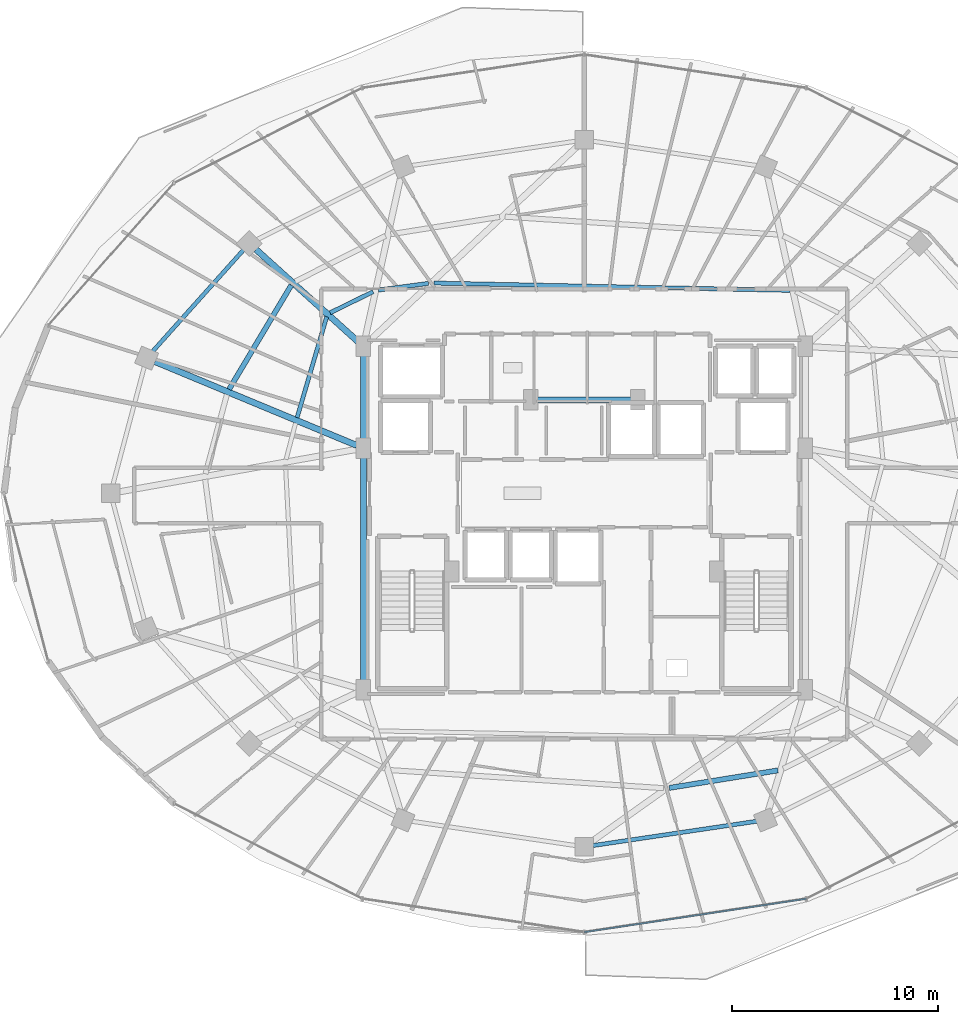
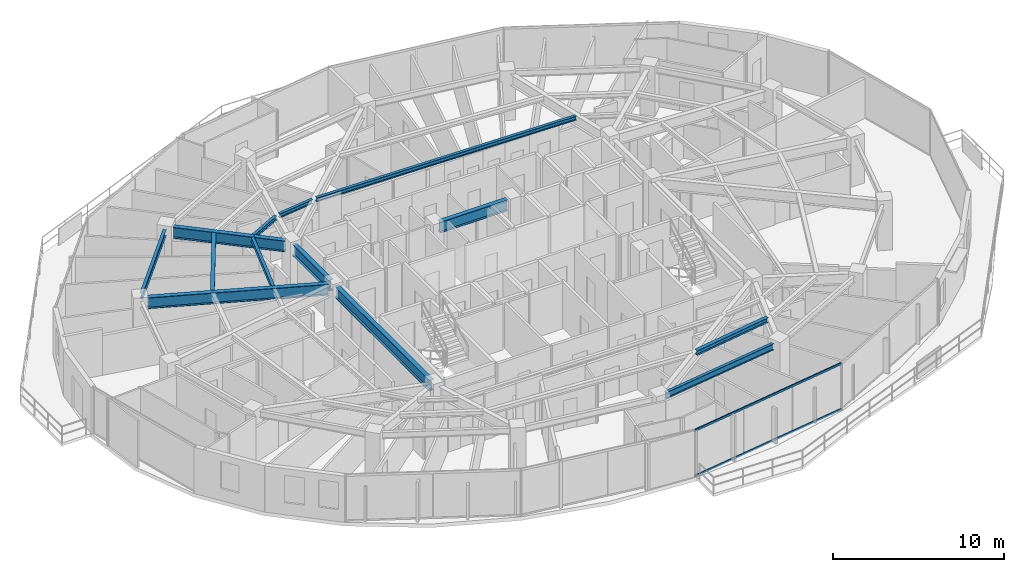
# One storey, part 10 of 34: 13 beams, 2 members, 1 element without a shape of its own.
"""IFC4 building model written with IfcOpenShell, lengths in metres."""

import ifcopenshell
import ifcopenshell.guid

model = None  # the IFC model being written
_history = None  # IfcOwnerHistory: only IFC2X3 demands one
_inside = {}  # id of a spatial element -> (the spatial element, [elements in it])
_under = {}  # id of a project, library or spatial element -> (it, [spatial elements below it])
_declared = {}  # id of a project -> (the project, [libraries it declares])
_typed = {}  # id of a type object -> (the type object, [elements of that type])
_made_of = {}  # id of a material, layer set ... -> (it, [elements and type objects made of it])


def new_model(schema):
    """Start an empty IFC model of exactly this schema.

    Asked for "IFC4X3", IfcOpenShell would pick the latest addendum, in which some entities
    have other attributes; the version numbers below select the first issue.
    IFC2X3 requires an IfcOwnerHistory on every rooted entity: one is made here for all.
    """
    global model, _history
    if schema == "IFC4X3":
        model = ifcopenshell.file(schema_version=(4, 3, 0, 0))
    else:
        model = ifcopenshell.file(schema=schema)
    _inside.clear()
    _under.clear()
    _declared.clear()
    _typed.clear()
    _made_of.clear()
    _history = None
    if model.schema == "IFC2X3":
        org = make("IfcOrganization", Name="unknown")
        user = make(
            "IfcPersonAndOrganization",
            ThePerson=make("IfcPerson", FamilyName="unknown"),
            TheOrganization=org,
        )
        app = make(
            "IfcApplication",
            ApplicationDeveloper=org,
            Version="unknown",
            ApplicationFullName="unknown",
            ApplicationIdentifier="unknown",
        )
        _history = make(
            "IfcOwnerHistory",
            OwningUser=user,
            OwningApplication=app,
            ChangeAction="ADDED",
            CreationDate=0,
        )
    return model


def make(cls, **values):
    """One entity of the class cls with the attributes given. An attribute that is None is left unset."""
    return model.create_entity(
        cls, **{name: value for name, value in values.items() if value is not None}
    )


def rooted(cls, **values):
    """An entity with a GlobalId (a new one), such as an element, a storey or a relation."""
    return make(cls, GlobalId=ifcopenshell.guid.new(), OwnerHistory=_history, **values)


def si_unit(unit_type, name, prefix=None):
    """IfcSIUnit, for example si_unit("LENGTHUNIT", "METRE", prefix="MILLI")."""
    return make("IfcSIUnit", UnitType=unit_type, Prefix=prefix, Name=name)


def assignment(units):
    """IfcUnitAssignment: the units of a project."""
    return None if units is None else make("IfcUnitAssignment", Units=units)


def point(xyz):
    """IfcCartesianPoint."""
    return None if xyz is None else make("IfcCartesianPoint", Coordinates=xyz)


def direction(xyz):
    """IfcDirection."""
    return None if xyz is None else make("IfcDirection", DirectionRatios=xyz)


def frame(location, z_axis=None, x_axis=None):
    """IfcAxis2Placement3D, a coordinate frame: its origin and axes. An axis left out is left unset."""
    return make(
        "IfcAxis2Placement3D",
        Location=point(location),
        Axis=direction(z_axis),
        RefDirection=direction(x_axis),
    )


def frame_2d(location, x_axis=None):
    """IfcAxis2Placement2D, a coordinate frame in the plane: its origin and x axis."""
    return make(
        "IfcAxis2Placement2D", Location=point(location), RefDirection=direction(x_axis)
    )


def origin():
    """The frame at (0, 0, 0) with its axes left unset."""
    return frame((0.0, 0.0, 0.0))


def origin_2d():
    """The frame at (0, 0) in the plane with its x axis left unset."""
    return frame_2d((0.0, 0.0))


def place(relative_to, where):
    """IfcLocalPlacement: puts the frame where relative to a parent placement (None: the world)."""
    return make(
        "IfcLocalPlacement", PlacementRelTo=relative_to, RelativePlacement=where
    )


def context(
    kind, dimensions, precision=None, world=None, true_north=None, identifier=None
):
    """IfcGeometricRepresentationContext, for example the 3D "Model" context."""
    return make(
        "IfcGeometricRepresentationContext",
        ContextIdentifier=identifier,
        ContextType=kind,
        CoordinateSpaceDimension=dimensions,
        Precision=precision,
        WorldCoordinateSystem=world,
        TrueNorth=true_north,
    )


def subcontext(parent, identifier, kind, view, scale=None):
    """IfcGeometricRepresentationSubContext, for example "Body" below "Model"."""
    return make(
        "IfcGeometricRepresentationSubContext",
        ContextIdentifier=identifier,
        ContextType=kind,
        ParentContext=parent,
        TargetScale=scale,
        TargetView=view,
    )


def project(units=None, contexts=None):
    """IfcProject with its units and contexts."""
    return rooted(
        "IfcProject",
        Name="project",
        RepresentationContexts=contexts,
        UnitsInContext=assignment(units),
    )


def spatial(cls, under=None, at=None, **own):
    """A site, building, storey or space (cls), placed at a placement, below another one or the project."""
    s = rooted(cls, ObjectPlacement=at, **own)
    if under is not None:
        _under.setdefault(under.id(), (under, []))[1].append(s)
    return s


def profile(cls, at=None, kind="AREA", **sizes):
    """A parametric profile (cls). Its sizes go by their IFC names, for example OverallWidth=200.0."""
    return make(cls, ProfileType=kind, Position=at, **sizes)


def hollow_rectangle(**sizes):
    """IfcRectangleHollowProfileDef."""
    return profile("IfcRectangleHollowProfileDef", **sizes)


def i_section(**sizes):
    """IfcIShapeProfileDef."""
    return profile("IfcIShapeProfileDef", **sizes)


def extrude(swept, where, along, depth):
    """IfcExtrudedAreaSolid: the profile swept, set in the frame where, extruded along a direction by depth."""
    return make(
        "IfcExtrudedAreaSolid",
        SweptArea=swept,
        Position=where,
        ExtrudedDirection=direction(along),
        Depth=depth,
    )


def shape(context_of_items, identifier, shape_type, items):
    """IfcShapeRepresentation: the items that make up one representation, for example the "Body"."""
    return make(
        "IfcShapeRepresentation",
        ContextOfItems=context_of_items,
        RepresentationIdentifier=identifier,
        RepresentationType=shape_type,
        Items=items,
    )


def material(Name=None, Category=None):
    """IfcMaterial."""
    return make("IfcMaterial", Name=Name, Category=Category)


def material_profile(
    of_material, cross_section, Name=None, Category=None, Priority=None
):
    """IfcMaterialProfile: a cross section and its material."""
    return make(
        "IfcMaterialProfile",
        Name=Name,
        Material=of_material,
        Profile=cross_section,
        Priority=Priority,
        Category=Category,
    )


def profile_set(profiles, Name=None, composite=None):
    """IfcMaterialProfileSet."""
    return make(
        "IfcMaterialProfileSet",
        Name=Name,
        MaterialProfiles=profiles,
        CompositeProfile=composite,
    )


def made_of(thing, what):
    """Note that an element or type object is made of a material, layer set ...; save() writes the relation."""
    if what is not None:
        _made_of.setdefault(what.id(), (what, []))[1].append(thing)
    return thing


def type_object(cls, material=None, **own):
    """A type object (cls), such as IfcWallType, which elements share."""
    return made_of(rooted(cls, **own), material)


def element(
    cls,
    number,
    at=None,
    inside=None,
    cuts=None,
    type_object=None,
    material=None,
    context=None,
    identifier="Body",
    shape_type=None,
    held_by="IfcProductDefinitionShape",
    body=None,
    shapes=None,
    **own,
):
    """One element of the class cls, such as IfcWall. Its Tag is "e" and its number.

    at: its placement. inside: the storey or other place that contains it. cuts: it is an
    opening in that element (IfcRelVoidsElement). A single representation is given by context,
    identifier, shape_type and body (its items); several are given by shapes. held_by: the class
    of the entity that holds the representations. save() writes the other relations.
    """
    e = rooted(cls, Tag="e%d" % number, ObjectPlacement=at, **own)
    if body is not None:
        shapes = [shape(context, identifier, shape_type, body)]
    if shapes is not None:
        e.Representation = make(held_by, Representations=shapes)
    if inside is not None:
        _inside.setdefault(inside.id(), (inside, []))[1].append(e)
    if cuts is not None:
        rooted(
            "IfcRelVoidsElement", RelatingBuildingElement=cuts, RelatedOpeningElement=e
        )
    if type_object is not None:
        _typed.setdefault(type_object.id(), (type_object, []))[1].append(e)
    return made_of(e, material)


def aggregate(whole, parts):
    """IfcRelAggregates: a whole, such as a stair, and the parts it consists of."""
    return rooted("IfcRelAggregates", RelatingObject=whole, RelatedObjects=parts)


def save(model, path):
    """Write the relations noted so far, then the file.

    IfcRelAggregates (storeys below a building ...), IfcRelContainedInSpatialStructure (elements
    in a storey), IfcRelDefinesByType, IfcRelAssociatesMaterial and IfcRelDeclares: one each for
    every whole, place, type object, material and project.
    """
    for whole, parts in _under.values():
        aggregate(whole, parts)
    for where, things in _inside.values():
        rooted(
            "IfcRelContainedInSpatialStructure",
            RelatedElements=things,
            RelatingStructure=where,
        )
    for kind, things in _typed.values():
        rooted("IfcRelDefinesByType", RelatedObjects=things, RelatingType=kind)
    for what, things in _made_of.values():
        rooted("IfcRelAssociatesMaterial", RelatedObjects=things, RelatingMaterial=what)
    for by, libraries in _declared.values():
        rooted("IfcRelDeclares", RelatingContext=by, RelatedDefinitions=libraries)
    model.write(path)


model = new_model("IFC4")

# Units and contexts
model_context = context("Model", 3, precision=1e-05, world=origin(), true_north=direction((0.0, 1.0)))
body_context = subcontext(model_context, "Body", "Model", "MODEL_VIEW")
ifc_project = project(units=[si_unit("LENGTHUNIT", "METRE"), si_unit("AREAUNIT", "SQUARE_METRE"), si_unit("VOLUMEUNIT", "CUBIC_METRE"), si_unit("PLANEANGLEUNIT", "RADIAN"), si_unit("MASSUNIT", "GRAM", prefix="KILO")], contexts=[model_context])

# Site, building, storey
site_placement = place(None, origin())
site = spatial("IfcSite", under=ifc_project, at=site_placement, CompositionType="ELEMENT")
building_placement = place(site_placement, origin())
building = spatial("IfcBuilding", under=site, at=building_placement, Name="Vorneva Point Tower", CompositionType="ELEMENT")
storey_placement = place(building_placement, frame((0.0, 0.0, 214.300048828125)))
storey = spatial("IfcBuildingStorey", under=building, at=storey_placement, Name="L58", CompositionType="ELEMENT", Elevation=214.300048828125)

# Beams
ifc_material_1 = material(Name="Steel S355", Category="steel")
ifc_material_profile_1 = material_profile(ifc_material_1, i_section(OverallWidth=0.300048828125, OverallDepth=0.7880859375, WebThickness=0.014404296875, FlangeThickness=0.02197265625, at=origin_2d()), Name="80Sh1")
ifc_profile_set_1 = profile_set([ifc_material_profile_1], Name="Steel S355")
beam_type_1 = type_object("IfcBeamType", Name="BM-GRD-80Sh1", PredefinedType="USERDEFINED", material=ifc_profile_set_1)
beam_1_placement = place(storey_placement, frame((22.026123046875, 37.86865234375, 2.89599609375), z_axis=(0.742089778537, -0.670300500217, 0.0), x_axis=(0.670300500217, 0.742089778537, 0.0)))
element("IfcBeam", 1, at=beam_1_placement, inside=storey, type_object=beam_type_1, Name="L58 Radial Primary Girder 07", ObjectType="GIRDER", PredefinedType="USERDEFINED", context=body_context, shape_type="SweptSolid", body=[
    extrude(i_section(OverallWidth=0.300048828125, OverallDepth=0.7880859375, WebThickness=0.014404296875, FlangeThickness=0.02197265625, at=origin_2d()), origin(), (0.0, 0.0, 1.0), 6.699462890625),
])
beam_2_placement = place(storey_placement, frame((17.109130859375, 32.4140625, 2.89599609375), z_axis=(0.923445067159, -0.383730645035, 0.0), x_axis=(0.383730645035, 0.923445067159, 0.0)))
element("IfcBeam", 2, at=beam_2_placement, inside=storey, type_object=beam_type_1, Name="L58 Radial Primary Girder 08", ObjectType="GIRDER", PredefinedType="USERDEFINED", context=body_context, shape_type="SweptSolid", body=[
    extrude(i_section(OverallWidth=0.300048828125, OverallDepth=0.7880859375, WebThickness=0.014404296875, FlangeThickness=0.02197265625, at=origin_2d()), origin(), (0.0, 0.0, 1.0), 10.6416015625),
])
beam_3_placement = place(storey_placement, frame((27.25, 16.77001953125, 2.89599609375), z_axis=(0.0, 1.0, 0.0), x_axis=(-1.0, 0.0, 0.0)))
element("IfcBeam", 3, at=beam_3_placement, inside=storey, type_object=beam_type_1, Name="L58 Core Tie Girder CT1", ObjectType="GIRDER", PredefinedType="USERDEFINED", context=body_context, shape_type="SweptSolid", body=[
    extrude(i_section(OverallWidth=0.300048828125, OverallDepth=0.7880859375, WebThickness=0.014404296875, FlangeThickness=0.02197265625, at=origin_2d()), origin(), (0.0, 0.0, 1.0), 11.10986328125),
])
beam_4_placement = place(storey_placement, frame((27.25, 28.52001953125, 2.89599609375), z_axis=(0.0, 1.0, 0.0), x_axis=(-1.0, 0.0, 0.0)))
element("IfcBeam", 4, at=beam_4_placement, inside=storey, type_object=beam_type_1, Name="L58 Core Tie Girder CT2", ObjectType="GIRDER", PredefinedType="USERDEFINED", context=body_context, shape_type="SweptSolid", body=[
    extrude(i_section(OverallWidth=0.300048828125, OverallDepth=0.7880859375, WebThickness=0.014404296875, FlangeThickness=0.02197265625, at=origin_2d()), origin(), (0.0, 0.0, 1.0), 4.31005859375),
])
beam_5_placement = place(storey_placement, frame((35.719970703125, 30.550048828125, 2.89599609375), z_axis=(1.0, 0.0, 0.0), x_axis=(0.0, 1.0, 0.0)))
element("IfcBeam", 5, at=beam_5_placement, inside=storey, type_object=beam_type_1, Name="L58 Core Tie Girder CT8", ObjectType="GIRDER", PredefinedType="USERDEFINED", context=body_context, shape_type="SweptSolid", body=[
    extrude(i_section(OverallWidth=0.300048828125, OverallDepth=0.7880859375, WebThickness=0.014404296875, FlangeThickness=0.02197265625, at=origin_2d()), origin(), (0.0, 0.0, 1.0), 4.56005859375),
])
ifc_material_profile_2 = material_profile(ifc_material_1, i_section(OverallWidth=0.199951171875, OverallDepth=0.291015625, WebThickness=0.008056640625, FlangeThickness=0.010986328125, at=origin_2d()), Name="30Sh1")
ifc_profile_set_2 = profile_set([ifc_material_profile_2], Name="Steel S355")
beam_type_2 = type_object("IfcBeamType", Name="BM-SEC-30Sh1", PredefinedType="BEAM", material=ifc_profile_set_2)
beam_6_placement = place(storey_placement, frame((48.01025390625, 35.879150390625, 3.14453125), z_axis=(-0.999788862622, 0.020548240227, 0.0), x_axis=(-0.020548240227, -0.999788862622, 0.0)))
element("IfcBeam", 6, at=beam_6_placement, inside=storey, type_object=beam_type_2, Name="L58 Secondary Floor Beam 2.04", PredefinedType="BEAM", context=body_context, shape_type="SweptSolid", body=[
    extrude(i_section(OverallWidth=0.199951171875, OverallDepth=0.291015625, WebThickness=0.008056640625, FlangeThickness=0.010986328125, at=origin_2d()), origin(), (0.0, 0.0, 1.0), 17.322998046875),
])
beam_7_placement = place(storey_placement, frame((30.416015625, 36.219482421875, 3.14453125), z_axis=(-0.991158988789, -0.132679534756, 0.0), x_axis=(0.132679534756, -0.991158988789, 0.0)))
element("IfcBeam", 7, at=beam_7_placement, inside=storey, type_object=beam_type_2, Name="L58 Secondary Floor Beam 2.05", PredefinedType="BEAM", context=body_context, shape_type="SweptSolid", body=[
    extrude(i_section(OverallWidth=0.199951171875, OverallDepth=0.291015625, WebThickness=0.008056640625, FlangeThickness=0.010986328125, at=origin_2d()), origin(), (0.0, 0.0, 1.0), 2.44921875),
])
beam_8_placement = place(storey_placement, frame((27.727783203125, 35.8154296875, 3.14453125), z_axis=(-0.897704429199, -0.440598181789, 0.0), x_axis=(0.440598181789, -0.897704429199, 0.0)))
element("IfcBeam", 8, at=beam_8_placement, inside=storey, type_object=beam_type_2, Name="L58 Secondary Floor Beam 2.06", PredefinedType="BEAM", context=body_context, shape_type="SweptSolid", body=[
    extrude(i_section(OverallWidth=0.199951171875, OverallDepth=0.291015625, WebThickness=0.008056640625, FlangeThickness=0.010986328125, at=origin_2d()), origin(), (0.0, 0.0, 1.0), 2.336669921875),
])
beam_9_placement = place(storey_placement, frame((25.46728515625, 34.5927734375, 3.14453125), z_axis=(-0.281778448701, -0.959479497357, 0.0), x_axis=(0.959479497357, -0.281778448701, 0.0)))
element("IfcBeam", 9, at=beam_9_placement, inside=storey, type_object=beam_type_2, Name="L58 Secondary Floor Beam 2.07", PredefinedType="BEAM", context=body_context, shape_type="SweptSolid", body=[
    extrude(i_section(OverallWidth=0.199951171875, OverallDepth=0.291015625, WebThickness=0.008056640625, FlangeThickness=0.010986328125, at=origin_2d()), origin(), (0.0, 0.0, 1.0), 5.11181640625),
])
ifc_material_profile_3 = material_profile(ifc_material_1, i_section(OverallWidth=0.2490234375, OverallDepth=0.333984375, WebThickness=0.008056640625, FlangeThickness=0.010986328125, at=origin_2d()), Name="35Sh1")
ifc_profile_set_3 = profile_set([ifc_material_profile_3], Name="Steel S355")
beam_type_3 = type_object("IfcBeamType", Name="BM-SEC-35Sh1", PredefinedType="BEAM", material=ifc_profile_set_3)
beam_10_placement = place(storey_placement, frame((23.7451171875, 36.133544921875, 3.123046875), z_axis=(-0.512622198489, -0.858614279882, 0.0), x_axis=(0.858614279882, -0.512622198489, 0.0)))
element("IfcBeam", 10, at=beam_10_placement, inside=storey, type_object=beam_type_3, Name="L58 Secondary Floor Beam 1.07", PredefinedType="BEAM", context=body_context, shape_type="SweptSolid", body=[
    extrude(i_section(OverallWidth=0.2490234375, OverallDepth=0.333984375, WebThickness=0.008056640625, FlangeThickness=0.010986328125, at=origin_2d()), origin(), (0.0, 0.0, 1.0), 5.906005859375),
])
beam_11_placement = place(storey_placement, frame((42.135009765625, 11.66748046875, 3.123046875), z_axis=(0.987232801798, 0.159284007527, 0.0), x_axis=(-0.159284007527, 0.987232801798, 0.0)))
element("IfcBeam", 11, at=beam_11_placement, inside=storey, type_object=beam_type_3, Name="L58 Secondary Floor Beam 1.13", PredefinedType="BEAM", context=body_context, shape_type="SweptSolid", body=[
    extrude(i_section(OverallWidth=0.2490234375, OverallDepth=0.333984375, WebThickness=0.008056640625, FlangeThickness=0.010986328125, at=origin_2d()), origin(), (0.0, 0.0, 1.0), 5.3583984375),
])
ifc_material_profile_4 = material_profile(ifc_material_1, i_section(OverallWidth=0.198974609375, OverallDepth=0.446044921875, WebThickness=0.008056640625, FlangeThickness=0.011962890625, at=origin_2d()), Name="45B1")
ifc_profile_set_4 = profile_set([ifc_material_profile_4], Name="Steel S355")
beam_type_4 = type_object("IfcBeamType", Name="BM-SPN-45B1", PredefinedType="SPANDREL", material=ifc_profile_set_4)
beam_12_placement = place(storey_placement, frame((21.410888671875, 37.838134765625, 3.06689453125), z_axis=(-0.66706970547, -0.744995307397, 0.0), x_axis=(0.744995307397, -0.66706970547, 0.0)))
element("IfcBeam", 12, at=beam_12_placement, inside=storey, type_object=beam_type_4, Name="L58 Perimeter Spandrel Ring Beam 07", PredefinedType="SPANDREL", context=body_context, shape_type="SweptSolid", body=[
    extrude(i_section(OverallWidth=0.198974609375, OverallDepth=0.446044921875, WebThickness=0.008056640625, FlangeThickness=0.011962890625, at=origin_2d()), origin(), (0.0, 0.0, 1.0), 6.6201171875),
])
beam_13_placement = place(storey_placement, frame((38.430419921875, 8.864013671875, 3.06689453125), z_axis=(0.989165476332, 0.146804837907, 0.0), x_axis=(-0.146804837907, 0.989165476332, 0.0)))
element("IfcBeam", 13, at=beam_13_placement, inside=storey, type_object=beam_type_4, Name="L58 Perimeter Spandrel Ring Beam 13", PredefinedType="SPANDREL", context=body_context, shape_type="SweptSolid", body=[
    extrude(i_section(OverallWidth=0.198974609375, OverallDepth=0.446044921875, WebThickness=0.008056640625, FlangeThickness=0.011962890625, at=origin_2d()), origin(), (0.0, 0.0, 1.0), 8.04736328125),
])

# Curtain wall, members
ifc_material_2 = material(Name="Pale anodised aluminium", Category="aluminium")
curtain_wall_type = type_object("IfcCurtainWallType", Name="CW-RES-SYS", PredefinedType="NOTDEFINED", material=ifc_material_2)
curtain_wall_placement = place(storey_placement, origin())
curtain_wall = element("IfcCurtainWall", 14, at=curtain_wall_placement, inside=storey, type_object=curtain_wall_type, Name="L58 Unitised Curtain Wall CW-L58-R04", PredefinedType="NOTDEFINED")
ifc_material_profile_5 = material_profile(ifc_material_2, hollow_rectangle(XDim=0.074951171875, YDim=0.14990234375, WallThickness=0.00390625, at=origin_2d()), Name="AL-TRN 150x75x4")
ifc_profile_set_5 = profile_set([ifc_material_profile_5], Name="Pale anodised aluminium")
member_type = type_object("IfcMemberType", Name="CW-TRN-150", PredefinedType="USERDEFINED", material=ifc_profile_set_5)
member_1_placement = place(storey_placement, frame((38.0, 4.64990234375, 0.02001953125), z_axis=(0.988872333273, 0.148766624239, 0.0), x_axis=(-0.148766624239, 0.988872333273, 0.0)))
member_1 = element("IfcMember", 15, at=member_1_placement, type_object=member_type, Name="CW-L58-R04 Transom 03.1", ObjectType="TRANSOM", PredefinedType="USERDEFINED", context=body_context, shape_type="SweptSolid", body=[
    extrude(hollow_rectangle(XDim=0.074951171875, YDim=0.14990234375, WallThickness=0.00390625, at=origin_2d()), origin(), (0.0, 0.0, 1.0), 10.9248046875),
])
member_2_placement = place(storey_placement, frame((38.0, 4.64990234375, 3.27001953125), z_axis=(0.988872333273, 0.148766624239, 0.0), x_axis=(-0.148766624239, 0.988872333273, 0.0)))
member_2 = element("IfcMember", 16, at=member_2_placement, type_object=member_type, Name="CW-L58-R04 Transom 03.2", ObjectType="TRANSOM", PredefinedType="USERDEFINED", context=body_context, shape_type="SweptSolid", body=[
    extrude(hollow_rectangle(XDim=0.074951171875, YDim=0.14990234375, WallThickness=0.00390625, at=origin_2d()), origin(), (0.0, 0.0, 1.0), 10.9248046875),
])
aggregate(curtain_wall, [member_1, member_2])

save(model, "model.ifc")
